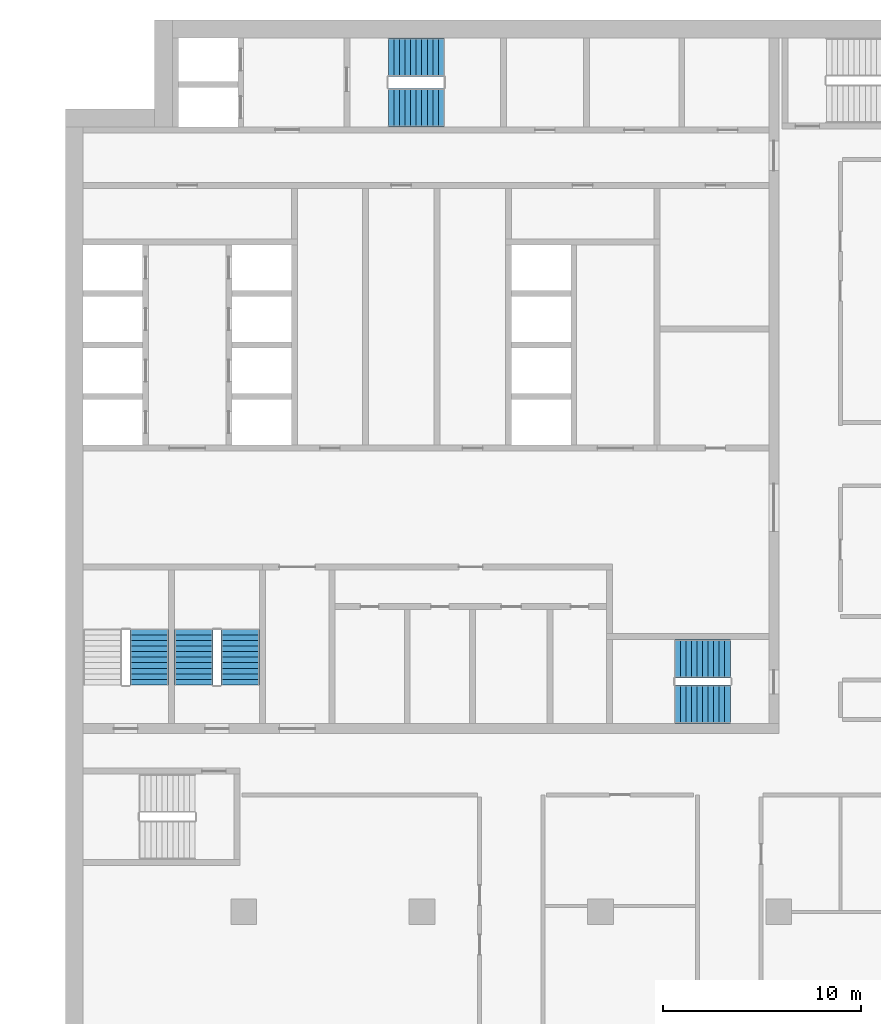
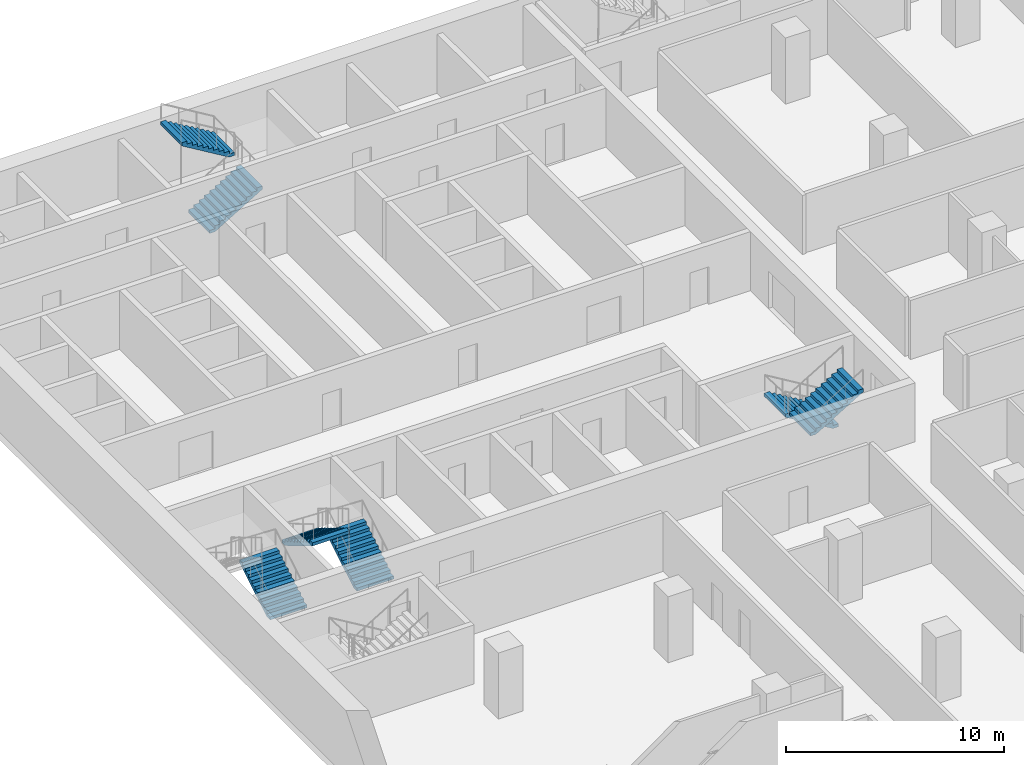
# One storey, part 17 of 23: 7 stair flights, 4 elements without a shape of their own.
"""IFC4 building model written with IfcOpenShell, lengths in metres."""

from ifc_helpers import new_model, si_unit, direction, frame, origin, place, context, subcontext, project, spatial, polyline, outline, extrude, material, type_object, element, aggregate, save


model = new_model("IFC4")

# Units and contexts
model_context = context("Model", 3, precision=1e-05, world=origin(), true_north=direction((0.0, 1.0)))
body_context = subcontext(model_context, "Body", "Model", "MODEL_VIEW")
ifc_project = project(units=[si_unit("LENGTHUNIT", "METRE"), si_unit("AREAUNIT", "SQUARE_METRE"), si_unit("VOLUMEUNIT", "CUBIC_METRE"), si_unit("PLANEANGLEUNIT", "RADIAN"), si_unit("MASSUNIT", "GRAM", prefix="KILO")], contexts=[model_context])

# Site, building, storey
site_placement = place(None, origin())
site = spatial("IfcSite", under=ifc_project, at=site_placement, CompositionType="ELEMENT")
building_placement = place(site_placement, origin())
building = spatial("IfcBuilding", under=site, at=building_placement, Name="Hunhe Ridgeline Campus", CompositionType="ELEMENT")
storey_placement = place(building_placement, frame((0.0, 0.0, 95.89990234375)))
storey = spatial("IfcBuildingStorey", under=building, at=storey_placement, Name="L23", CompositionType="ELEMENT", Elevation=95.89990234375)

# Stair, stair flights
ifc_material = material(Name="Concrete C40", Category="concrete")
stair_type = type_object("IfcStairType", Name="Reinforced concrete dog-leg stair 1950 Concrete C40", PredefinedType="HALF_TURN_STAIR", material=ifc_material)
stair_1_placement = place(storey_placement, origin())
stair_1 = element("IfcStair", 1, at=stair_1_placement, inside=storey, type_object=stair_type, Name="L23 S1", PredefinedType="HALF_TURN_STAIR")
stair_flight_type = type_object("IfcStairFlightType", Name="Reinforced concrete stair flight 1950 Concrete C40", PredefinedType="STRAIGHT", material=ifc_material)
stair_flight_1_placement = place(storey_placement, frame((16.300048828125, 94.574951171875, 0.0), z_axis=(0.0, 0.0, 1.0), x_axis=(1.0, 0.0, 0.0)))
stair_flight_1 = element("IfcStairFlight", 2, at=stair_flight_1_placement, type_object=stair_flight_type, Name="ST1 flight 1", NumberOfRisers=11, NumberOfTreads=10, PredefinedType="STRAIGHT", RiserHeight=0.168181818, TreadLength=0.28, context=body_context, shape_type="SweptSolid", body=[
    extrude(outline(polyline([(0.0, 0.0), (0.0, 0.168212890625), (0.280029296875, 0.168212890625), (0.280029296875, 0.33642578125), (0.56005859375, 0.33642578125), (0.56005859375, 0.504638671875), (0.840087890625, 0.504638671875), (0.840087890625, 0.672607421875), (1.1201171875, 0.672607421875), (1.1201171875, 0.8408203125), (1.39990234375, 0.8408203125), (1.39990234375, 1.009033203125), (1.679931640625, 1.009033203125), (1.679931640625, 1.17724609375), (1.9599609375, 1.17724609375), (1.9599609375, 1.345458984375), (2.239990234375, 1.345458984375), (2.239990234375, 1.513671875), (2.52001953125, 1.513671875), (2.52001953125, 1.681884765625), (2.800048828125, 1.681884765625), (2.800048828125, 1.85009765625), (2.800048828125, 1.5068359375), (0.291015625, 0.0), (0.0, 0.0)])), frame((0.0, 0.97509765625, 0.0), z_axis=(0.0, -1.0, 0.0), x_axis=(1.0, 0.0, 0.0)), (0.0, 0.0, 1.0), 1.949951171875),
    extrude(outline(polyline([(0.030029296875, 0.030029296875), (0.030029296875, 0.13818359375), (0.31005859375, 0.13818359375), (0.31005859375, 0.306396484375), (0.590087890625, 0.306396484375), (0.590087890625, 0.474609375), (0.8701171875, 0.474609375), (0.8701171875, 0.642578125), (1.14990234375, 0.642578125), (1.14990234375, 0.810791015625), (1.429931640625, 0.810791015625), (1.429931640625, 0.97900390625), (1.7099609375, 0.97900390625), (1.7099609375, 1.147216796875), (1.989990234375, 1.147216796875), (1.989990234375, 1.3154296875), (2.27001953125, 1.3154296875), (2.27001953125, 1.483642578125), (2.550048828125, 1.483642578125), (2.550048828125, 1.65185546875), (2.77001953125, 1.65185546875), (2.77001953125, 1.52392578125), (0.28271484375, 0.030029296875), (0.030029296875, 0.030029296875)])), frame((0.0, -0.070068359375, 0.0), z_axis=(0.0, -1.0, 0.0), x_axis=(1.0, 0.0, 0.0)), (0.0, 0.0, 1.0), 0.019775390625),
    extrude(outline(polyline([(0.030029296875, 0.030029296875), (0.030029296875, 0.13818359375), (0.31005859375, 0.13818359375), (0.31005859375, 0.306396484375), (0.590087890625, 0.306396484375), (0.590087890625, 0.474609375), (0.8701171875, 0.474609375), (0.8701171875, 0.642578125), (1.14990234375, 0.642578125), (1.14990234375, 0.810791015625), (1.429931640625, 0.810791015625), (1.429931640625, 0.97900390625), (1.7099609375, 0.97900390625), (1.7099609375, 1.147216796875), (1.989990234375, 1.147216796875), (1.989990234375, 1.3154296875), (2.27001953125, 1.3154296875), (2.27001953125, 1.483642578125), (2.550048828125, 1.483642578125), (2.550048828125, 1.65185546875), (2.77001953125, 1.65185546875), (2.77001953125, 1.52392578125), (0.28271484375, 0.030029296875), (0.030029296875, 0.030029296875)])), frame((0.0, 0.010009765625, 0.0), z_axis=(0.0, -1.0, 0.0), x_axis=(1.0, 0.0, 0.0)), (0.0, 0.0, 1.0), 0.019775390625),
    extrude(outline(polyline([(0.030029296875, 0.030029296875), (0.030029296875, 0.13818359375), (0.31005859375, 0.13818359375), (0.31005859375, 0.306396484375), (0.590087890625, 0.306396484375), (0.590087890625, 0.474609375), (0.8701171875, 0.474609375), (0.8701171875, 0.642578125), (1.14990234375, 0.642578125), (1.14990234375, 0.810791015625), (1.429931640625, 0.810791015625), (1.429931640625, 0.97900390625), (1.7099609375, 0.97900390625), (1.7099609375, 1.147216796875), (1.989990234375, 1.147216796875), (1.989990234375, 1.3154296875), (2.27001953125, 1.3154296875), (2.27001953125, 1.483642578125), (2.550048828125, 1.483642578125), (2.550048828125, 1.65185546875), (2.77001953125, 1.65185546875), (2.77001953125, 1.52392578125), (0.28271484375, 0.030029296875), (0.030029296875, 0.030029296875)])), frame((0.0, 0.090087890625, 0.0), z_axis=(0.0, -1.0, 0.0), x_axis=(1.0, 0.0, 0.0)), (0.0, 0.0, 1.0), 0.019775390625),
])
stair_flight_2_placement = place(storey_placement, frame((19.10009765625, 97.125, 1.85009765625), z_axis=(0.0, 0.0, 1.0), x_axis=(-1.0, 0.0, 0.0)))
stair_flight_2 = element("IfcStairFlight", 3, at=stair_flight_2_placement, type_object=stair_flight_type, Name="ST1 flight 2", NumberOfRisers=11, NumberOfTreads=10, PredefinedType="STRAIGHT", RiserHeight=0.168181818, TreadLength=0.28, context=body_context, shape_type="SweptSolid", body=[
    extrude(outline(polyline([(0.0, 0.0), (0.0, 0.168212890625), (0.280029296875, 0.168212890625), (0.280029296875, 0.33642578125), (0.56005859375, 0.33642578125), (0.56005859375, 0.504638671875), (0.840087890625, 0.504638671875), (0.840087890625, 0.672607421875), (1.1201171875, 0.672607421875), (1.1201171875, 0.8408203125), (1.39990234375, 0.8408203125), (1.39990234375, 1.009033203125), (1.679931640625, 1.009033203125), (1.679931640625, 1.17724609375), (1.9599609375, 1.17724609375), (1.9599609375, 1.345458984375), (2.239990234375, 1.345458984375), (2.239990234375, 1.513671875), (2.52001953125, 1.513671875), (2.52001953125, 1.681884765625), (2.800048828125, 1.681884765625), (2.800048828125, 1.85009765625), (2.800048828125, 1.5068359375), (0.291015625, 0.0), (0.0, 0.0)])), frame((0.0, 0.97509765625, 0.0), z_axis=(0.0, -1.0, 0.0), x_axis=(1.0, 0.0, 0.0)), (0.0, 0.0, 1.0), 1.949951171875),
    extrude(outline(polyline([(0.030029296875, 0.030029296875), (0.030029296875, 0.13818359375), (0.31005859375, 0.13818359375), (0.31005859375, 0.306396484375), (0.590087890625, 0.306396484375), (0.590087890625, 0.474609375), (0.8701171875, 0.474609375), (0.8701171875, 0.642578125), (1.14990234375, 0.642578125), (1.14990234375, 0.810791015625), (1.429931640625, 0.810791015625), (1.429931640625, 0.97900390625), (1.7099609375, 0.97900390625), (1.7099609375, 1.147216796875), (1.989990234375, 1.147216796875), (1.989990234375, 1.3154296875), (2.27001953125, 1.3154296875), (2.27001953125, 1.483642578125), (2.550048828125, 1.483642578125), (2.550048828125, 1.65185546875), (2.77001953125, 1.65185546875), (2.77001953125, 1.52392578125), (0.28271484375, 0.030029296875), (0.030029296875, 0.030029296875)])), frame((0.0, -0.070068359375, 0.0), z_axis=(0.0, -1.0, 0.0), x_axis=(1.0, 0.0, 0.0)), (0.0, 0.0, 1.0), 0.019775390625),
    extrude(outline(polyline([(0.030029296875, 0.030029296875), (0.030029296875, 0.13818359375), (0.31005859375, 0.13818359375), (0.31005859375, 0.306396484375), (0.590087890625, 0.306396484375), (0.590087890625, 0.474609375), (0.8701171875, 0.474609375), (0.8701171875, 0.642578125), (1.14990234375, 0.642578125), (1.14990234375, 0.810791015625), (1.429931640625, 0.810791015625), (1.429931640625, 0.97900390625), (1.7099609375, 0.97900390625), (1.7099609375, 1.147216796875), (1.989990234375, 1.147216796875), (1.989990234375, 1.3154296875), (2.27001953125, 1.3154296875), (2.27001953125, 1.483642578125), (2.550048828125, 1.483642578125), (2.550048828125, 1.65185546875), (2.77001953125, 1.65185546875), (2.77001953125, 1.52392578125), (0.28271484375, 0.030029296875), (0.030029296875, 0.030029296875)])), frame((0.0, 0.010009765625, 0.0), z_axis=(0.0, -1.0, 0.0), x_axis=(1.0, 0.0, 0.0)), (0.0, 0.0, 1.0), 0.019775390625),
    extrude(outline(polyline([(0.030029296875, 0.030029296875), (0.030029296875, 0.13818359375), (0.31005859375, 0.13818359375), (0.31005859375, 0.306396484375), (0.590087890625, 0.306396484375), (0.590087890625, 0.474609375), (0.8701171875, 0.474609375), (0.8701171875, 0.642578125), (1.14990234375, 0.642578125), (1.14990234375, 0.810791015625), (1.429931640625, 0.810791015625), (1.429931640625, 0.97900390625), (1.7099609375, 0.97900390625), (1.7099609375, 1.147216796875), (1.989990234375, 1.147216796875), (1.989990234375, 1.3154296875), (2.27001953125, 1.3154296875), (2.27001953125, 1.483642578125), (2.550048828125, 1.483642578125), (2.550048828125, 1.65185546875), (2.77001953125, 1.65185546875), (2.77001953125, 1.52392578125), (0.28271484375, 0.030029296875), (0.030029296875, 0.030029296875)])), frame((0.0, 0.090087890625, 0.0), z_axis=(0.0, -1.0, 0.0), x_axis=(1.0, 0.0, 0.0)), (0.0, 0.0, 1.0), 0.019775390625),
])
aggregate(stair_1, [stair_flight_1, stair_flight_2])

stair_2_placement = place(storey_placement, origin())
stair_2 = element("IfcStair", 4, at=stair_2_placement, inside=storey, type_object=stair_type, Name="L23 S2", PredefinedType="HALF_TURN_STAIR")
stair_flight_3_placement = place(storey_placement, frame((33.550048828125, 66.77490234375, 0.0), z_axis=(0.0, 0.0, 1.0), x_axis=(-1.0, 0.0, 0.0)))
stair_flight_3 = element("IfcStairFlight", 5, at=stair_flight_3_placement, type_object=stair_flight_type, Name="ST2 flight 1", NumberOfRisers=11, NumberOfTreads=10, PredefinedType="STRAIGHT", RiserHeight=0.168181818, TreadLength=0.28, context=body_context, shape_type="SweptSolid", body=[
    extrude(outline(polyline([(0.0, 0.0), (0.0, 0.168212890625), (0.280029296875, 0.168212890625), (0.280029296875, 0.33642578125), (0.56005859375, 0.33642578125), (0.56005859375, 0.504638671875), (0.840087890625, 0.504638671875), (0.840087890625, 0.672607421875), (1.1201171875, 0.672607421875), (1.1201171875, 0.8408203125), (1.39990234375, 0.8408203125), (1.39990234375, 1.009033203125), (1.679931640625, 1.009033203125), (1.679931640625, 1.17724609375), (1.9599609375, 1.17724609375), (1.9599609375, 1.345458984375), (2.239990234375, 1.345458984375), (2.239990234375, 1.513671875), (2.52001953125, 1.513671875), (2.52001953125, 1.681884765625), (2.800048828125, 1.681884765625), (2.800048828125, 1.85009765625), (2.800048828125, 1.5068359375), (0.291015625, 0.0), (0.0, 0.0)])), frame((0.0, 0.97509765625, 0.0), z_axis=(0.0, -1.0, 0.0), x_axis=(1.0, 0.0, 0.0)), (0.0, 0.0, 1.0), 1.949951171875),
    extrude(outline(polyline([(0.030029296875, 0.030029296875), (0.030029296875, 0.13818359375), (0.31005859375, 0.13818359375), (0.31005859375, 0.306396484375), (0.590087890625, 0.306396484375), (0.590087890625, 0.474609375), (0.8701171875, 0.474609375), (0.8701171875, 0.642578125), (1.14990234375, 0.642578125), (1.14990234375, 0.810791015625), (1.429931640625, 0.810791015625), (1.429931640625, 0.97900390625), (1.7099609375, 0.97900390625), (1.7099609375, 1.147216796875), (1.989990234375, 1.147216796875), (1.989990234375, 1.3154296875), (2.27001953125, 1.3154296875), (2.27001953125, 1.483642578125), (2.550048828125, 1.483642578125), (2.550048828125, 1.65185546875), (2.77001953125, 1.65185546875), (2.77001953125, 1.52392578125), (0.28271484375, 0.030029296875), (0.030029296875, 0.030029296875)])), frame((0.0, -0.070068359375, 0.0), z_axis=(0.0, -1.0, 0.0), x_axis=(1.0, 0.0, 0.0)), (0.0, 0.0, 1.0), 0.019775390625),
    extrude(outline(polyline([(0.030029296875, 0.030029296875), (0.030029296875, 0.13818359375), (0.31005859375, 0.13818359375), (0.31005859375, 0.306396484375), (0.590087890625, 0.306396484375), (0.590087890625, 0.474609375), (0.8701171875, 0.474609375), (0.8701171875, 0.642578125), (1.14990234375, 0.642578125), (1.14990234375, 0.810791015625), (1.429931640625, 0.810791015625), (1.429931640625, 0.97900390625), (1.7099609375, 0.97900390625), (1.7099609375, 1.147216796875), (1.989990234375, 1.147216796875), (1.989990234375, 1.3154296875), (2.27001953125, 1.3154296875), (2.27001953125, 1.483642578125), (2.550048828125, 1.483642578125), (2.550048828125, 1.65185546875), (2.77001953125, 1.65185546875), (2.77001953125, 1.52392578125), (0.28271484375, 0.030029296875), (0.030029296875, 0.030029296875)])), frame((0.0, 0.010009765625, 0.0), z_axis=(0.0, -1.0, 0.0), x_axis=(1.0, 0.0, 0.0)), (0.0, 0.0, 1.0), 0.019775390625),
    extrude(outline(polyline([(0.030029296875, 0.030029296875), (0.030029296875, 0.13818359375), (0.31005859375, 0.13818359375), (0.31005859375, 0.306396484375), (0.590087890625, 0.306396484375), (0.590087890625, 0.474609375), (0.8701171875, 0.474609375), (0.8701171875, 0.642578125), (1.14990234375, 0.642578125), (1.14990234375, 0.810791015625), (1.429931640625, 0.810791015625), (1.429931640625, 0.97900390625), (1.7099609375, 0.97900390625), (1.7099609375, 1.147216796875), (1.989990234375, 1.147216796875), (1.989990234375, 1.3154296875), (2.27001953125, 1.3154296875), (2.27001953125, 1.483642578125), (2.550048828125, 1.483642578125), (2.550048828125, 1.65185546875), (2.77001953125, 1.65185546875), (2.77001953125, 1.52392578125), (0.28271484375, 0.030029296875), (0.030029296875, 0.030029296875)])), frame((0.0, 0.090087890625, 0.0), z_axis=(0.0, -1.0, 0.0), x_axis=(1.0, 0.0, 0.0)), (0.0, 0.0, 1.0), 0.019775390625),
])
stair_flight_4_placement = place(storey_placement, frame((30.75, 64.47509765625, 1.85009765625), z_axis=(0.0, 0.0, 1.0), x_axis=(1.0, 0.0, 0.0)))
stair_flight_4 = element("IfcStairFlight", 6, at=stair_flight_4_placement, type_object=stair_flight_type, Name="ST2 flight 2", NumberOfRisers=11, NumberOfTreads=10, PredefinedType="STRAIGHT", RiserHeight=0.168181818, TreadLength=0.28, context=body_context, shape_type="SweptSolid", body=[
    extrude(outline(polyline([(0.0, 0.0), (0.0, 0.168212890625), (0.280029296875, 0.168212890625), (0.280029296875, 0.33642578125), (0.56005859375, 0.33642578125), (0.56005859375, 0.504638671875), (0.840087890625, 0.504638671875), (0.840087890625, 0.672607421875), (1.1201171875, 0.672607421875), (1.1201171875, 0.8408203125), (1.39990234375, 0.8408203125), (1.39990234375, 1.009033203125), (1.679931640625, 1.009033203125), (1.679931640625, 1.17724609375), (1.9599609375, 1.17724609375), (1.9599609375, 1.345458984375), (2.239990234375, 1.345458984375), (2.239990234375, 1.513671875), (2.52001953125, 1.513671875), (2.52001953125, 1.681884765625), (2.800048828125, 1.681884765625), (2.800048828125, 1.85009765625), (2.800048828125, 1.5068359375), (0.291015625, 0.0), (0.0, 0.0)])), frame((0.0, 0.97509765625, 0.0), z_axis=(0.0, -1.0, 0.0), x_axis=(1.0, 0.0, 0.0)), (0.0, 0.0, 1.0), 1.949951171875),
    extrude(outline(polyline([(0.030029296875, 0.030029296875), (0.030029296875, 0.13818359375), (0.31005859375, 0.13818359375), (0.31005859375, 0.306396484375), (0.590087890625, 0.306396484375), (0.590087890625, 0.474609375), (0.8701171875, 0.474609375), (0.8701171875, 0.642578125), (1.14990234375, 0.642578125), (1.14990234375, 0.810791015625), (1.429931640625, 0.810791015625), (1.429931640625, 0.97900390625), (1.7099609375, 0.97900390625), (1.7099609375, 1.147216796875), (1.989990234375, 1.147216796875), (1.989990234375, 1.3154296875), (2.27001953125, 1.3154296875), (2.27001953125, 1.483642578125), (2.550048828125, 1.483642578125), (2.550048828125, 1.65185546875), (2.77001953125, 1.65185546875), (2.77001953125, 1.52392578125), (0.28271484375, 0.030029296875), (0.030029296875, 0.030029296875)])), frame((0.0, -0.070068359375, 0.0), z_axis=(0.0, -1.0, 0.0), x_axis=(1.0, 0.0, 0.0)), (0.0, 0.0, 1.0), 0.019775390625),
    extrude(outline(polyline([(0.030029296875, 0.030029296875), (0.030029296875, 0.13818359375), (0.31005859375, 0.13818359375), (0.31005859375, 0.306396484375), (0.590087890625, 0.306396484375), (0.590087890625, 0.474609375), (0.8701171875, 0.474609375), (0.8701171875, 0.642578125), (1.14990234375, 0.642578125), (1.14990234375, 0.810791015625), (1.429931640625, 0.810791015625), (1.429931640625, 0.97900390625), (1.7099609375, 0.97900390625), (1.7099609375, 1.147216796875), (1.989990234375, 1.147216796875), (1.989990234375, 1.3154296875), (2.27001953125, 1.3154296875), (2.27001953125, 1.483642578125), (2.550048828125, 1.483642578125), (2.550048828125, 1.65185546875), (2.77001953125, 1.65185546875), (2.77001953125, 1.52392578125), (0.28271484375, 0.030029296875), (0.030029296875, 0.030029296875)])), frame((0.0, 0.010009765625, 0.0), z_axis=(0.0, -1.0, 0.0), x_axis=(1.0, 0.0, 0.0)), (0.0, 0.0, 1.0), 0.019775390625),
    extrude(outline(polyline([(0.030029296875, 0.030029296875), (0.030029296875, 0.13818359375), (0.31005859375, 0.13818359375), (0.31005859375, 0.306396484375), (0.590087890625, 0.306396484375), (0.590087890625, 0.474609375), (0.8701171875, 0.474609375), (0.8701171875, 0.642578125), (1.14990234375, 0.642578125), (1.14990234375, 0.810791015625), (1.429931640625, 0.810791015625), (1.429931640625, 0.97900390625), (1.7099609375, 0.97900390625), (1.7099609375, 1.147216796875), (1.989990234375, 1.147216796875), (1.989990234375, 1.3154296875), (2.27001953125, 1.3154296875), (2.27001953125, 1.483642578125), (2.550048828125, 1.483642578125), (2.550048828125, 1.65185546875), (2.77001953125, 1.65185546875), (2.77001953125, 1.52392578125), (0.28271484375, 0.030029296875), (0.030029296875, 0.030029296875)])), frame((0.0, 0.090087890625, 0.0), z_axis=(0.0, -1.0, 0.0), x_axis=(1.0, 0.0, 0.0)), (0.0, 0.0, 1.0), 0.019775390625),
])
aggregate(stair_2, [stair_flight_3, stair_flight_4])

# Stair, stair flight
stair_3_placement = place(storey_placement, origin())
stair_3 = element("IfcStair", 7, at=stair_3_placement, inside=storey, type_object=stair_type, Name="L23 S3", PredefinedType="HALF_TURN_STAIR")
stair_flight_5_placement = place(storey_placement, frame((4.22509765625, 65.449951171875, 0.0), z_axis=(0.0, 0.0, 1.0), x_axis=(0.0, 1.0, 0.0)))
stair_flight_5 = element("IfcStairFlight", 8, at=stair_flight_5_placement, type_object=stair_flight_type, Name="ST3 flight 1", NumberOfRisers=11, NumberOfTreads=10, PredefinedType="STRAIGHT", RiserHeight=0.168181818, TreadLength=0.28, context=body_context, shape_type="SweptSolid", body=[
    extrude(outline(polyline([(0.0, 0.0), (0.0, 0.168212890625), (0.280029296875, 0.168212890625), (0.280029296875, 0.33642578125), (0.56005859375, 0.33642578125), (0.56005859375, 0.504638671875), (0.840087890625, 0.504638671875), (0.840087890625, 0.672607421875), (1.1201171875, 0.672607421875), (1.1201171875, 0.8408203125), (1.39990234375, 0.8408203125), (1.39990234375, 1.009033203125), (1.679931640625, 1.009033203125), (1.679931640625, 1.17724609375), (1.9599609375, 1.17724609375), (1.9599609375, 1.345458984375), (2.239990234375, 1.345458984375), (2.239990234375, 1.513671875), (2.52001953125, 1.513671875), (2.52001953125, 1.681884765625), (2.800048828125, 1.681884765625), (2.800048828125, 1.85009765625), (2.800048828125, 1.5068359375), (0.291015625, 0.0), (0.0, 0.0)])), frame((0.0, 0.97509765625, 0.0), z_axis=(0.0, -1.0, 0.0), x_axis=(1.0, 0.0, 0.0)), (0.0, 0.0, 1.0), 1.949951171875),
    extrude(outline(polyline([(0.030029296875, 0.030029296875), (0.030029296875, 0.13818359375), (0.31005859375, 0.13818359375), (0.31005859375, 0.306396484375), (0.590087890625, 0.306396484375), (0.590087890625, 0.474609375), (0.8701171875, 0.474609375), (0.8701171875, 0.642578125), (1.14990234375, 0.642578125), (1.14990234375, 0.810791015625), (1.429931640625, 0.810791015625), (1.429931640625, 0.97900390625), (1.7099609375, 0.97900390625), (1.7099609375, 1.147216796875), (1.989990234375, 1.147216796875), (1.989990234375, 1.3154296875), (2.27001953125, 1.3154296875), (2.27001953125, 1.483642578125), (2.550048828125, 1.483642578125), (2.550048828125, 1.65185546875), (2.77001953125, 1.65185546875), (2.77001953125, 1.52392578125), (0.28271484375, 0.030029296875), (0.030029296875, 0.030029296875)])), frame((0.0, -0.070068359375, 0.0), z_axis=(0.0, -1.0, 0.0), x_axis=(1.0, 0.0, 0.0)), (0.0, 0.0, 1.0), 0.019775390625),
    extrude(outline(polyline([(0.030029296875, 0.030029296875), (0.030029296875, 0.13818359375), (0.31005859375, 0.13818359375), (0.31005859375, 0.306396484375), (0.590087890625, 0.306396484375), (0.590087890625, 0.474609375), (0.8701171875, 0.474609375), (0.8701171875, 0.642578125), (1.14990234375, 0.642578125), (1.14990234375, 0.810791015625), (1.429931640625, 0.810791015625), (1.429931640625, 0.97900390625), (1.7099609375, 0.97900390625), (1.7099609375, 1.147216796875), (1.989990234375, 1.147216796875), (1.989990234375, 1.3154296875), (2.27001953125, 1.3154296875), (2.27001953125, 1.483642578125), (2.550048828125, 1.483642578125), (2.550048828125, 1.65185546875), (2.77001953125, 1.65185546875), (2.77001953125, 1.52392578125), (0.28271484375, 0.030029296875), (0.030029296875, 0.030029296875)])), frame((0.0, 0.010009765625, 0.0), z_axis=(0.0, -1.0, 0.0), x_axis=(1.0, 0.0, 0.0)), (0.0, 0.0, 1.0), 0.019775390625),
    extrude(outline(polyline([(0.030029296875, 0.030029296875), (0.030029296875, 0.13818359375), (0.31005859375, 0.13818359375), (0.31005859375, 0.306396484375), (0.590087890625, 0.306396484375), (0.590087890625, 0.474609375), (0.8701171875, 0.474609375), (0.8701171875, 0.642578125), (1.14990234375, 0.642578125), (1.14990234375, 0.810791015625), (1.429931640625, 0.810791015625), (1.429931640625, 0.97900390625), (1.7099609375, 0.97900390625), (1.7099609375, 1.147216796875), (1.989990234375, 1.147216796875), (1.989990234375, 1.3154296875), (2.27001953125, 1.3154296875), (2.27001953125, 1.483642578125), (2.550048828125, 1.483642578125), (2.550048828125, 1.65185546875), (2.77001953125, 1.65185546875), (2.77001953125, 1.52392578125), (0.28271484375, 0.030029296875), (0.030029296875, 0.030029296875)])), frame((0.0, 0.090087890625, 0.0), z_axis=(0.0, -1.0, 0.0), x_axis=(1.0, 0.0, 0.0)), (0.0, 0.0, 1.0), 0.019775390625),
])
aggregate(stair_3, [stair_flight_5])

# Stair, stair flights
stair_4_placement = place(storey_placement, origin())
stair_4 = element("IfcStair", 9, at=stair_4_placement, inside=storey, type_object=stair_type, Name="L23 S4", PredefinedType="HALF_TURN_STAIR")
stair_flight_6_placement = place(storey_placement, frame((8.824951171875, 65.449951171875, 0.0), z_axis=(0.0, 0.0, 1.0), x_axis=(0.0, 1.0, 0.0)))
stair_flight_6 = element("IfcStairFlight", 10, at=stair_flight_6_placement, type_object=stair_flight_type, Name="ST4 flight 1", NumberOfRisers=11, NumberOfTreads=10, PredefinedType="STRAIGHT", RiserHeight=0.168181818, TreadLength=0.28, context=body_context, shape_type="SweptSolid", body=[
    extrude(outline(polyline([(0.0, 0.0), (0.0, 0.168212890625), (0.280029296875, 0.168212890625), (0.280029296875, 0.33642578125), (0.56005859375, 0.33642578125), (0.56005859375, 0.504638671875), (0.840087890625, 0.504638671875), (0.840087890625, 0.672607421875), (1.1201171875, 0.672607421875), (1.1201171875, 0.8408203125), (1.39990234375, 0.8408203125), (1.39990234375, 1.009033203125), (1.679931640625, 1.009033203125), (1.679931640625, 1.17724609375), (1.9599609375, 1.17724609375), (1.9599609375, 1.345458984375), (2.239990234375, 1.345458984375), (2.239990234375, 1.513671875), (2.52001953125, 1.513671875), (2.52001953125, 1.681884765625), (2.800048828125, 1.681884765625), (2.800048828125, 1.85009765625), (2.800048828125, 1.5068359375), (0.291015625, 0.0), (0.0, 0.0)])), frame((0.0, 0.97509765625, 0.0), z_axis=(0.0, -1.0, 0.0), x_axis=(1.0, 0.0, 0.0)), (0.0, 0.0, 1.0), 1.949951171875),
    extrude(outline(polyline([(0.030029296875, 0.030029296875), (0.030029296875, 0.13818359375), (0.31005859375, 0.13818359375), (0.31005859375, 0.306396484375), (0.590087890625, 0.306396484375), (0.590087890625, 0.474609375), (0.8701171875, 0.474609375), (0.8701171875, 0.642578125), (1.14990234375, 0.642578125), (1.14990234375, 0.810791015625), (1.429931640625, 0.810791015625), (1.429931640625, 0.97900390625), (1.7099609375, 0.97900390625), (1.7099609375, 1.147216796875), (1.989990234375, 1.147216796875), (1.989990234375, 1.3154296875), (2.27001953125, 1.3154296875), (2.27001953125, 1.483642578125), (2.550048828125, 1.483642578125), (2.550048828125, 1.65185546875), (2.77001953125, 1.65185546875), (2.77001953125, 1.52392578125), (0.28271484375, 0.030029296875), (0.030029296875, 0.030029296875)])), frame((0.0, -0.070068359375, 0.0), z_axis=(0.0, -1.0, 0.0), x_axis=(1.0, 0.0, 0.0)), (0.0, 0.0, 1.0), 0.019775390625),
    extrude(outline(polyline([(0.030029296875, 0.030029296875), (0.030029296875, 0.13818359375), (0.31005859375, 0.13818359375), (0.31005859375, 0.306396484375), (0.590087890625, 0.306396484375), (0.590087890625, 0.474609375), (0.8701171875, 0.474609375), (0.8701171875, 0.642578125), (1.14990234375, 0.642578125), (1.14990234375, 0.810791015625), (1.429931640625, 0.810791015625), (1.429931640625, 0.97900390625), (1.7099609375, 0.97900390625), (1.7099609375, 1.147216796875), (1.989990234375, 1.147216796875), (1.989990234375, 1.3154296875), (2.27001953125, 1.3154296875), (2.27001953125, 1.483642578125), (2.550048828125, 1.483642578125), (2.550048828125, 1.65185546875), (2.77001953125, 1.65185546875), (2.77001953125, 1.52392578125), (0.28271484375, 0.030029296875), (0.030029296875, 0.030029296875)])), frame((0.0, 0.010009765625, 0.0), z_axis=(0.0, -1.0, 0.0), x_axis=(1.0, 0.0, 0.0)), (0.0, 0.0, 1.0), 0.019775390625),
    extrude(outline(polyline([(0.030029296875, 0.030029296875), (0.030029296875, 0.13818359375), (0.31005859375, 0.13818359375), (0.31005859375, 0.306396484375), (0.590087890625, 0.306396484375), (0.590087890625, 0.474609375), (0.8701171875, 0.474609375), (0.8701171875, 0.642578125), (1.14990234375, 0.642578125), (1.14990234375, 0.810791015625), (1.429931640625, 0.810791015625), (1.429931640625, 0.97900390625), (1.7099609375, 0.97900390625), (1.7099609375, 1.147216796875), (1.989990234375, 1.147216796875), (1.989990234375, 1.3154296875), (2.27001953125, 1.3154296875), (2.27001953125, 1.483642578125), (2.550048828125, 1.483642578125), (2.550048828125, 1.65185546875), (2.77001953125, 1.65185546875), (2.77001953125, 1.52392578125), (0.28271484375, 0.030029296875), (0.030029296875, 0.030029296875)])), frame((0.0, 0.090087890625, 0.0), z_axis=(0.0, -1.0, 0.0), x_axis=(1.0, 0.0, 0.0)), (0.0, 0.0, 1.0), 0.019775390625),
])
stair_flight_7_placement = place(storey_placement, frame((6.47509765625, 68.25, 1.85009765625), z_axis=(0.0, 0.0, 1.0), x_axis=(0.0, -1.0, 0.0)))
stair_flight_7 = element("IfcStairFlight", 11, at=stair_flight_7_placement, type_object=stair_flight_type, Name="ST4 flight 2", NumberOfRisers=11, NumberOfTreads=10, PredefinedType="STRAIGHT", RiserHeight=0.168181818, TreadLength=0.28, context=body_context, shape_type="SweptSolid", body=[
    extrude(outline(polyline([(0.0, 0.0), (0.0, 0.168212890625), (0.280029296875, 0.168212890625), (0.280029296875, 0.33642578125), (0.56005859375, 0.33642578125), (0.56005859375, 0.504638671875), (0.840087890625, 0.504638671875), (0.840087890625, 0.672607421875), (1.1201171875, 0.672607421875), (1.1201171875, 0.8408203125), (1.39990234375, 0.8408203125), (1.39990234375, 1.009033203125), (1.679931640625, 1.009033203125), (1.679931640625, 1.17724609375), (1.9599609375, 1.17724609375), (1.9599609375, 1.345458984375), (2.239990234375, 1.345458984375), (2.239990234375, 1.513671875), (2.52001953125, 1.513671875), (2.52001953125, 1.681884765625), (2.800048828125, 1.681884765625), (2.800048828125, 1.85009765625), (2.800048828125, 1.5068359375), (0.291015625, 0.0), (0.0, 0.0)])), frame((0.0, 0.97509765625, 0.0), z_axis=(0.0, -1.0, 0.0), x_axis=(1.0, 0.0, 0.0)), (0.0, 0.0, 1.0), 1.949951171875),
    extrude(outline(polyline([(0.030029296875, 0.030029296875), (0.030029296875, 0.13818359375), (0.31005859375, 0.13818359375), (0.31005859375, 0.306396484375), (0.590087890625, 0.306396484375), (0.590087890625, 0.474609375), (0.8701171875, 0.474609375), (0.8701171875, 0.642578125), (1.14990234375, 0.642578125), (1.14990234375, 0.810791015625), (1.429931640625, 0.810791015625), (1.429931640625, 0.97900390625), (1.7099609375, 0.97900390625), (1.7099609375, 1.147216796875), (1.989990234375, 1.147216796875), (1.989990234375, 1.3154296875), (2.27001953125, 1.3154296875), (2.27001953125, 1.483642578125), (2.550048828125, 1.483642578125), (2.550048828125, 1.65185546875), (2.77001953125, 1.65185546875), (2.77001953125, 1.52392578125), (0.28271484375, 0.030029296875), (0.030029296875, 0.030029296875)])), frame((0.0, -0.070068359375, 0.0), z_axis=(0.0, -1.0, 0.0), x_axis=(1.0, 0.0, 0.0)), (0.0, 0.0, 1.0), 0.019775390625),
    extrude(outline(polyline([(0.030029296875, 0.030029296875), (0.030029296875, 0.13818359375), (0.31005859375, 0.13818359375), (0.31005859375, 0.306396484375), (0.590087890625, 0.306396484375), (0.590087890625, 0.474609375), (0.8701171875, 0.474609375), (0.8701171875, 0.642578125), (1.14990234375, 0.642578125), (1.14990234375, 0.810791015625), (1.429931640625, 0.810791015625), (1.429931640625, 0.97900390625), (1.7099609375, 0.97900390625), (1.7099609375, 1.147216796875), (1.989990234375, 1.147216796875), (1.989990234375, 1.3154296875), (2.27001953125, 1.3154296875), (2.27001953125, 1.483642578125), (2.550048828125, 1.483642578125), (2.550048828125, 1.65185546875), (2.77001953125, 1.65185546875), (2.77001953125, 1.52392578125), (0.28271484375, 0.030029296875), (0.030029296875, 0.030029296875)])), frame((0.0, 0.010009765625, 0.0), z_axis=(0.0, -1.0, 0.0), x_axis=(1.0, 0.0, 0.0)), (0.0, 0.0, 1.0), 0.019775390625),
    extrude(outline(polyline([(0.030029296875, 0.030029296875), (0.030029296875, 0.13818359375), (0.31005859375, 0.13818359375), (0.31005859375, 0.306396484375), (0.590087890625, 0.306396484375), (0.590087890625, 0.474609375), (0.8701171875, 0.474609375), (0.8701171875, 0.642578125), (1.14990234375, 0.642578125), (1.14990234375, 0.810791015625), (1.429931640625, 0.810791015625), (1.429931640625, 0.97900390625), (1.7099609375, 0.97900390625), (1.7099609375, 1.147216796875), (1.989990234375, 1.147216796875), (1.989990234375, 1.3154296875), (2.27001953125, 1.3154296875), (2.27001953125, 1.483642578125), (2.550048828125, 1.483642578125), (2.550048828125, 1.65185546875), (2.77001953125, 1.65185546875), (2.77001953125, 1.52392578125), (0.28271484375, 0.030029296875), (0.030029296875, 0.030029296875)])), frame((0.0, 0.090087890625, 0.0), z_axis=(0.0, -1.0, 0.0), x_axis=(1.0, 0.0, 0.0)), (0.0, 0.0, 1.0), 0.019775390625),
])
aggregate(stair_4, [stair_flight_6, stair_flight_7])

save(model, "model.ifc")
